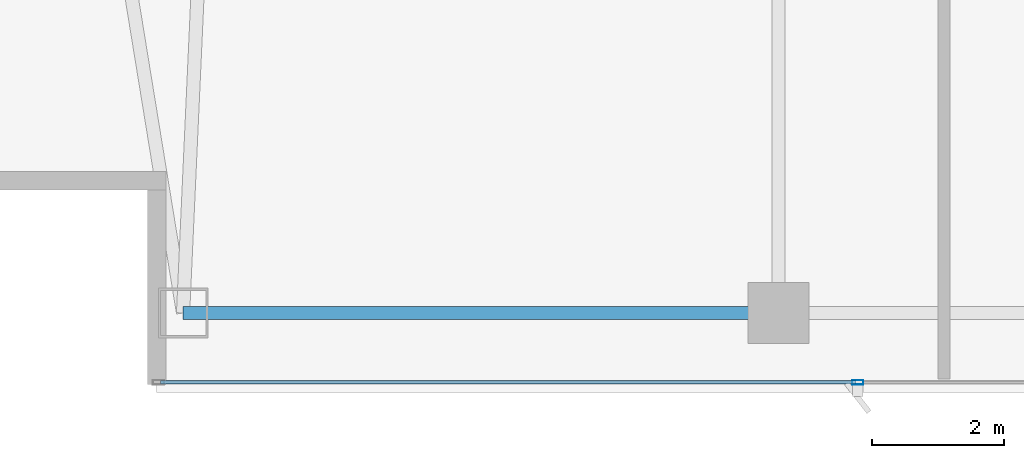
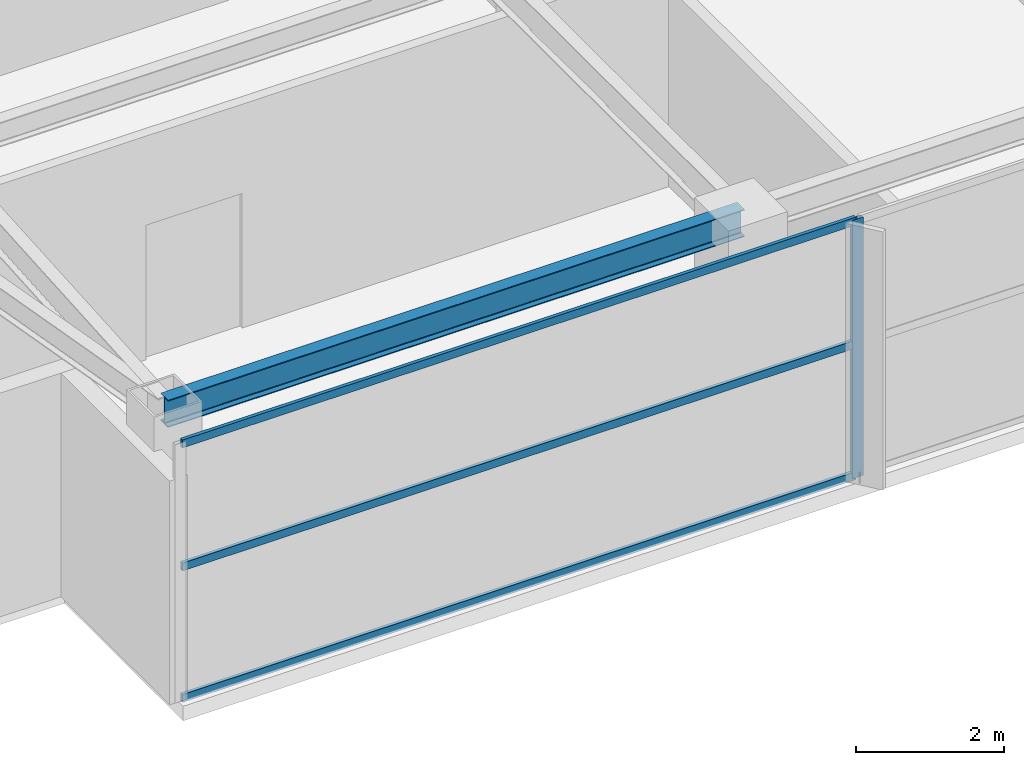
# One storey, part 3 of 25: 4 members, 1 beam, 1 element without a shape of its own.
"""IFC4 building model written with IfcOpenShell, lengths in metres."""

from ifc_helpers import new_model, si_unit, direction, frame, origin, origin_2d, place, context, subcontext, project, spatial, hollow_rectangle, i_section, extrude, material, layer, layer_set, material_profile, profile_set, type_object, element, aggregate, save


model = new_model("IFC4")

# Units and contexts
model_context = context("Model", 3, precision=1e-05, world=origin(), true_north=direction((0.0, 1.0)))
body_context = subcontext(model_context, "Body", "Model", "MODEL_VIEW")
ifc_project = project(units=[si_unit("LENGTHUNIT", "METRE"), si_unit("AREAUNIT", "SQUARE_METRE"), si_unit("VOLUMEUNIT", "CUBIC_METRE"), si_unit("PLANEANGLEUNIT", "RADIAN"), si_unit("MASSUNIT", "GRAM", prefix="KILO")], contexts=[model_context])

# Site, building, storey
site_placement = place(None, origin())
site = spatial("IfcSite", under=ifc_project, at=site_placement, CompositionType="ELEMENT")
building_placement = place(site_placement, origin())
building = spatial("IfcBuilding", under=site, at=building_placement, Name="Calvorn Quay Hotel", CompositionType="ELEMENT")
storey_placement = place(building_placement, frame((0.0, 0.0, 311.5)))
storey = spatial("IfcBuildingStorey", under=building, at=storey_placement, Name="L77", CompositionType="ELEMENT", Elevation=311.5)

# Beam
ifc_material_1 = material(Name="Steel Q355B", Category="steel")
ifc_material_profile_1 = material_profile(ifc_material_1, i_section(OverallWidth=0.199951171875, OverallDepth=0.449951171875, WebThickness=0.009033203125, FlangeThickness=0.013916015625, FilletRadius=0.01611328125, at=origin_2d()), Name="HN450x200x9x14")
ifc_profile_set_1 = profile_set([ifc_material_profile_1], Name="Steel Q355B")
beam_type = type_object("IfcBeamType", Name="BM-SPANDREL-Z3", PredefinedType="SPANDREL", material=ifc_profile_set_1)
beam_placement = place(storey_placement, frame((3.60009765625, 3.60009765625, 4.014892578125), z_axis=(1.0, 0.0, 0.0), x_axis=(0.0, 1.0, 0.0)))
element("IfcBeam", 1, at=beam_placement, inside=storey, type_object=beam_type, Name="Beam BSP-L77-S1", PredefinedType="SPANDREL", context=body_context, shape_type="SweptSolid", body=[
    extrude(i_section(OverallWidth=0.199951171875, OverallDepth=0.449951171875, WebThickness=0.009033203125, FlangeThickness=0.013916015625, FilletRadius=0.01611328125, at=origin_2d()), origin(), (0.0, 0.0, 1.0), 9.0),
])

# Curtain wall, members
ifc_material_2 = material(Name="Champagne Bronze Anodised Aluminium and Low-E Glass", Category="aluminium")
ifc_layer = layer(ifc_material_2, 0.219970703125)
ifc_layer_set = layer_set([ifc_layer], Name="CW-SYS-Z4")
curtain_wall_type = type_object("IfcCurtainWallType", Name="CW-SYS-Z4", PredefinedType="NOTDEFINED", material=ifc_layer_set)
curtain_wall_placement = place(storey_placement, origin())
curtain_wall = element("IfcCurtainWall", 2, at=curtain_wall_placement, inside=storey, type_object=curtain_wall_type, Name="Tower South Waterfront Curtain Wall (L77)", PredefinedType="NOTDEFINED")
ifc_material_3 = material(Name="Champagne Bronze Anodised Aluminium 6063-T6", Category="aluminium")
ifc_material_profile_2 = material_profile(ifc_material_3, hollow_rectangle(XDim=0.06494140625, YDim=0.169921875, WallThickness=0.00341796875, at=origin_2d()), Name="ALU-M170x65x3.5")
ifc_profile_set_2 = profile_set([ifc_material_profile_2], Name="Champagne Bronze Anodised Aluminium 6063-T6")
member_type_1 = type_object("IfcMemberType", Name="CW-SYS-Z4-MUL", PredefinedType="MULLION", material=ifc_profile_set_2)
member_1_placement = place(storey_placement, frame((13.800048828125, 2.550048828125, 0.0), z_axis=(0.0, 0.0, 1.0), x_axis=(0.0, 1.0, 0.0)))
member_1 = element("IfcMember", 3, at=member_1_placement, type_object=member_type_1, Name="CW-L77-S mullion 2", PredefinedType="MULLION", context=body_context, shape_type="SweptSolid", body=[
    extrude(hollow_rectangle(XDim=0.06494140625, YDim=0.169921875, WallThickness=0.00341796875, at=origin_2d()), origin(), (0.0, 0.0, 1.0), 4.260009765625),
])
ifc_material_4 = material(Name="Champagne Bronze Anodised Aluminium 6063-T6", Category="aluminium")
ifc_material_profile_3 = material_profile(ifc_material_4, hollow_rectangle(XDim=0.054931640625, YDim=0.1298828125, WallThickness=0.003173828125, at=origin_2d()), Name="ALU-T130x55x3.2")
ifc_profile_set_3 = profile_set([ifc_material_profile_3], Name="Champagne Bronze Anodised Aluminium 6063-T6")
member_type_2 = type_object("IfcMemberType", Name="CW-SYS-Z4-TRN", PredefinedType="USERDEFINED", material=ifc_profile_set_3)
member_2_placement = place(storey_placement, frame((3.260009765625, 2.550048828125, 0.030029296875), z_axis=(1.0, 0.0, 0.0), x_axis=(0.0, 1.0, 0.0)))
member_2 = element("IfcMember", 4, at=member_2_placement, type_object=member_type_2, Name="CW-L77-S transom 1.1", ObjectType="TRANSOM", PredefinedType="USERDEFINED", context=body_context, shape_type="SweptSolid", body=[
    extrude(hollow_rectangle(XDim=0.054931640625, YDim=0.1298828125, WallThickness=0.003173828125, at=origin_2d()), origin(), (0.0, 0.0, 1.0), 10.510009765625),
])
member_3_placement = place(storey_placement, frame((3.260009765625, 2.550048828125, 2.199951171875), z_axis=(1.0, 0.0, 0.0), x_axis=(0.0, 1.0, 0.0)))
member_3 = element("IfcMember", 5, at=member_3_placement, type_object=member_type_2, Name="CW-L77-S transom 1.2", ObjectType="TRANSOM", PredefinedType="USERDEFINED", context=body_context, shape_type="SweptSolid", body=[
    extrude(hollow_rectangle(XDim=0.054931640625, YDim=0.1298828125, WallThickness=0.003173828125, at=origin_2d()), origin(), (0.0, 0.0, 1.0), 10.510009765625),
])
member_4_placement = place(storey_placement, frame((3.260009765625, 2.550048828125, 4.22998046875), z_axis=(1.0, 0.0, 0.0), x_axis=(0.0, 1.0, 0.0)))
member_4 = element("IfcMember", 6, at=member_4_placement, type_object=member_type_2, Name="CW-L77-S transom 1.3", ObjectType="TRANSOM", PredefinedType="USERDEFINED", context=body_context, shape_type="SweptSolid", body=[
    extrude(hollow_rectangle(XDim=0.054931640625, YDim=0.1298828125, WallThickness=0.003173828125, at=origin_2d()), origin(), (0.0, 0.0, 1.0), 10.510009765625),
])
aggregate(curtain_wall, [member_1, member_2, member_3, member_4])

save(model, "model.ifc")
